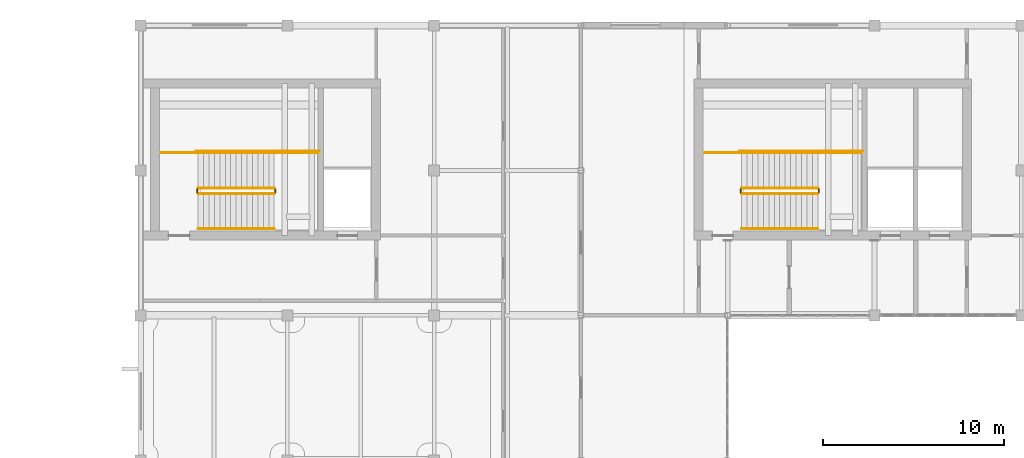
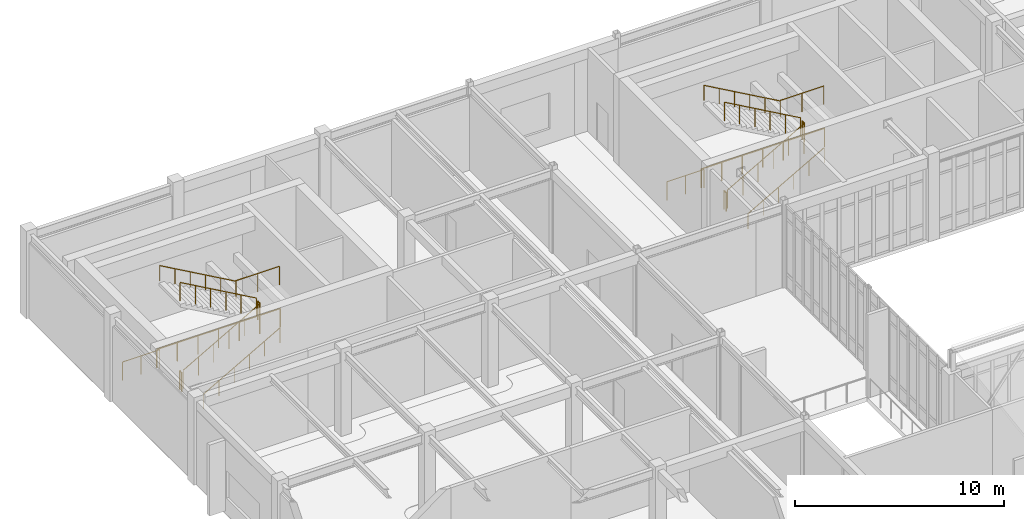
# One storey, part 106 of 107: 18 railings.
"""IFC4 building model written with IfcOpenShell, lengths in metres."""

from ifc_helpers import new_model, si_unit, direction, frame, origin, origin_2d, place, context, subcontext, project, spatial, circle, extrude, material, type_object, element, save


model = new_model("IFC4")

# Units and contexts
model_context = context("Model", 3, precision=1e-05, world=origin(), true_north=direction((0.0, 1.0)))
body_context = subcontext(model_context, "Body", "Model", "MODEL_VIEW")
ifc_project = project(units=[si_unit("LENGTHUNIT", "METRE"), si_unit("AREAUNIT", "SQUARE_METRE"), si_unit("VOLUMEUNIT", "CUBIC_METRE"), si_unit("PLANEANGLEUNIT", "RADIAN"), si_unit("MASSUNIT", "GRAM", prefix="KILO")], contexts=[model_context])

# Site, building, storey
site_placement = place(None, origin())
site = spatial("IfcSite", under=ifc_project, at=site_placement, CompositionType="ELEMENT")
building_placement = place(site_placement, origin())
building = spatial("IfcBuilding", under=site, at=building_placement, Name="Tarnveldt Square Police Headquarters", CompositionType="ELEMENT")
storey_placement = place(building_placement, frame((0.0, 0.0, 14.699951171875)))
storey = spatial("IfcBuildingStorey", under=building, at=storey_placement, Name="L03", CompositionType="ELEMENT", Elevation=14.699951171875)

# Railings
ifc_material = material(Name="Steel 350W", Category="steel")
railing_type_1 = type_object("IfcRailingType", Name="RL-GR-1100", PredefinedType="GUARDRAIL", material=ifc_material)
railing_1_placement = place(storey_placement, frame((19.3701171875, 102.719970703125, 0.170166015625)))
element("IfcRailing", 1, at=railing_1_placement, inside=storey, type_object=railing_type_1, Name="L03 ST2 stair guard 1", PredefinedType="GUARDRAIL", context=body_context, shape_type="SweptSolid", body=[
    extrude(circle(Radius=0.02392578125, at=origin_2d()), frame((0.0, 0.0, 1.076171875), z_axis=(0.870030139814, 0.0, 0.492998535308), x_axis=(0.0, 1.0, 0.0)), (0.0, 0.0, 1.0), 4.827392578125),
    extrude(circle(Radius=0.02099609375, at=origin_2d()), origin(), (0.0, 0.0, 1.0), 1.052001953125),
    extrude(circle(Radius=0.02099609375, at=origin_2d()), frame((0.840087890625, 0.0, 0.47607421875)), (0.0, 0.0, 1.0), 1.052001953125),
    extrude(circle(Radius=0.02099609375, at=origin_2d()), frame((1.679931640625, 0.0, 0.951904296875)), (0.0, 0.0, 1.0), 1.052001953125),
    extrude(circle(Radius=0.02099609375, at=origin_2d()), frame((2.52001953125, 0.0, 1.427978515625)), (0.0, 0.0, 1.0), 1.052001953125),
    extrude(circle(Radius=0.02099609375, at=origin_2d()), frame((3.35986328125, 0.0, 1.90380859375)), (0.0, 0.0, 1.0), 1.052001953125),
    extrude(circle(Radius=0.02099609375, at=origin_2d()), frame((4.199951171875, 0.0, 2.3798828125)), (0.0, 0.0, 1.0), 1.052001953125),
])
railing_2_placement = place(storey_placement, frame((23.6201171875, 102.77001953125, 2.550048828125)))
element("IfcRailing", 2, at=railing_2_placement, inside=storey, type_object=railing_type_1, Name="L03 ST2 stair guard 2", PredefinedType="GUARDRAIL", context=body_context, shape_type="SweptSolid", body=[
    extrude(circle(Radius=0.02392578125, at=origin_2d()), frame((0.0, 0.0, 1.076171875), z_axis=(0.0, 1.0, 0.0), x_axis=(-1.0, 0.0, 0.0)), (0.0, 0.0, 1.0), 0.199951171875),
    extrude(circle(Radius=0.02099609375, at=origin_2d()), origin(), (0.0, 0.0, 1.0), 1.052001953125),
    extrude(circle(Radius=0.02099609375, at=origin_2d()), frame((0.0, 0.199951171875, 0.0)), (0.0, 0.0, 1.0), 1.052001953125),
])
railing_3_placement = place(storey_placement, frame((23.570068359375, 104.969970703125, 2.550048828125)))
element("IfcRailing", 3, at=railing_3_placement, inside=storey, type_object=railing_type_1, Name="L03 ST2 stair guard 3", PredefinedType="GUARDRAIL", context=body_context, shape_type="SweptSolid", body=[
    extrude(circle(Radius=0.02392578125, at=origin_2d()), frame((0.0, 0.0, 1.076171875), z_axis=(1.0, 0.0, 0.0), x_axis=(0.0, 1.0, 0.0)), (0.0, 0.0, 1.0), 2.39990234375),
    extrude(circle(Radius=0.02099609375, at=origin_2d()), origin(), (0.0, 0.0, 1.0), 1.052001953125),
    extrude(circle(Radius=0.02099609375, at=origin_2d()), frame((1.199951171875, 0.0, 0.0)), (0.0, 0.0, 1.0), 1.052001953125),
    extrude(circle(Radius=0.02099609375, at=origin_2d()), frame((2.39990234375, 0.0, 0.0)), (0.0, 0.0, 1.0), 1.052001953125),
])
railing_4_placement = place(storey_placement, frame((23.570068359375, 103.02001953125, 2.719970703125)))
element("IfcRailing", 4, at=railing_4_placement, inside=storey, type_object=railing_type_1, Name="L03 ST2 stair guard 4", PredefinedType="GUARDRAIL", context=body_context, shape_type="SweptSolid", body=[
    extrude(circle(Radius=0.02392578125, at=origin_2d()), frame((0.0, 0.0, 1.076171875), z_axis=(-0.870008446991, 0.0, 0.493036816236), x_axis=(0.0, -1.0, 0.0)), (0.0, 0.0, 1.0), 4.827392578125),
    extrude(circle(Radius=0.02099609375, at=origin_2d()), origin(), (0.0, 0.0, 1.0), 1.052001953125),
    extrude(circle(Radius=0.02099609375, at=origin_2d()), frame((-0.840087890625, 0.0, 0.47607421875)), (0.0, 0.0, 1.0), 1.052001953125),
    extrude(circle(Radius=0.02099609375, at=origin_2d()), frame((-1.679931640625, 0.0, 0.9521484375)), (0.0, 0.0, 1.0), 1.052001953125),
    extrude(circle(Radius=0.02099609375, at=origin_2d()), frame((-2.52001953125, 0.0, 1.427978515625)), (0.0, 0.0, 1.0), 1.052001953125),
    extrude(circle(Radius=0.02099609375, at=origin_2d()), frame((-3.35986328125, 0.0, 1.904052734375)), (0.0, 0.0, 1.0), 1.052001953125),
    extrude(circle(Radius=0.02099609375, at=origin_2d()), frame((-4.199951171875, 0.0, 2.380126953125)), (0.0, 0.0, 1.0), 1.052001953125),
])
railing_5_placement = place(storey_placement, frame((19.320068359375, 102.77001953125, 0.0)))
element("IfcRailing", 5, at=railing_5_placement, inside=storey, type_object=railing_type_1, Name="L03 ST2 stair guard 5", PredefinedType="GUARDRAIL", context=body_context, shape_type="SweptSolid", body=[
    extrude(circle(Radius=0.02392578125, at=origin_2d()), frame((0.0, 0.0, 1.076171875), z_axis=(0.0, 1.0, 0.0), x_axis=(-1.0, 0.0, 0.0)), (0.0, 0.0, 1.0), 0.199951171875),
    extrude(circle(Radius=0.02099609375, at=origin_2d()), origin(), (0.0, 0.0, 1.0), 1.052001953125),
    extrude(circle(Radius=0.02099609375, at=origin_2d()), frame((0.0, 0.199951171875, 0.0)), (0.0, 0.0, 1.0), 1.052001953125),
])
railing_6_placement = place(storey_placement, frame((17.320068359375, 104.969970703125, 0.0)))
element("IfcRailing", 6, at=railing_6_placement, inside=storey, type_object=railing_type_1, Name="L03 ST2 stair guard 6", PredefinedType="GUARDRAIL", context=body_context, shape_type="SweptSolid", body=[
    extrude(circle(Radius=0.02392578125, at=origin_2d()), frame((0.0, 0.0, 1.076171875), z_axis=(1.0, 0.0, 0.0), x_axis=(0.0, 1.0, 0.0)), (0.0, 0.0, 1.0), 2.050048828125),
    extrude(circle(Radius=0.02099609375, at=origin_2d()), origin(), (0.0, 0.0, 1.0), 1.052001953125),
    extrude(circle(Radius=0.02099609375, at=origin_2d()), frame((1.02490234375, 0.0, 0.0)), (0.0, 0.0, 1.0), 1.052001953125),
    extrude(circle(Radius=0.02099609375, at=origin_2d()), frame((2.050048828125, 0.0, 0.0)), (0.0, 0.0, 1.0), 1.052001953125),
])
railing_7_placement = place(storey_placement, frame((19.27001953125, 105.070068359375, 0.0)))
element("IfcRailing", 7, at=railing_7_placement, inside=storey, type_object=railing_type_1, Name="L03 ST2 stair guard 7", PredefinedType="GUARDRAIL", context=body_context, shape_type="SweptSolid", body=[
    extrude(circle(Radius=0.02392578125, at=origin_2d()), frame((0.0, 0.0, 1.076171875), z_axis=(1.0, 0.0, 0.0), x_axis=(0.0, 1.0, 0.0)), (0.0, 0.0, 1.0), 6.800048828125),
    extrude(circle(Radius=0.02099609375, at=origin_2d()), origin(), (0.0, 0.0, 1.0), 1.052001953125),
    extrude(circle(Radius=0.02099609375, at=origin_2d()), frame((1.13330078125, 0.0, 0.0)), (0.0, 0.0, 1.0), 1.052001953125),
    extrude(circle(Radius=0.02099609375, at=origin_2d()), frame((2.2666015625, 0.0, 0.0)), (0.0, 0.0, 1.0), 1.052001953125),
    extrude(circle(Radius=0.02099609375, at=origin_2d()), frame((3.39990234375, 0.0, 0.0)), (0.0, 0.0, 1.0), 1.052001953125),
    extrude(circle(Radius=0.02099609375, at=origin_2d()), frame((4.533447265625, 0.0, 0.0)), (0.0, 0.0, 1.0), 1.052001953125),
    extrude(circle(Radius=0.02099609375, at=origin_2d()), frame((5.666748046875, 0.0, 0.0)), (0.0, 0.0, 1.0), 1.052001953125),
    extrude(circle(Radius=0.02099609375, at=origin_2d()), frame((6.800048828125, 0.0, 0.0)), (0.0, 0.0, 1.0), 1.052001953125),
])
railing_8_placement = place(storey_placement, frame((49.3701171875, 102.719970703125, 0.170166015625)))
element("IfcRailing", 8, at=railing_8_placement, inside=storey, type_object=railing_type_1, Name="L03 ST3 stair guard 1", PredefinedType="GUARDRAIL", context=body_context, shape_type="SweptSolid", body=[
    extrude(circle(Radius=0.02392578125, at=origin_2d()), frame((0.0, 0.0, 1.076171875), z_axis=(0.870030139814, 0.0, 0.492998535308), x_axis=(0.0, 1.0, 0.0)), (0.0, 0.0, 1.0), 4.827392578125),
    extrude(circle(Radius=0.02099609375, at=origin_2d()), origin(), (0.0, 0.0, 1.0), 1.052001953125),
    extrude(circle(Radius=0.02099609375, at=origin_2d()), frame((0.840087890625, 0.0, 0.47607421875)), (0.0, 0.0, 1.0), 1.052001953125),
    extrude(circle(Radius=0.02099609375, at=origin_2d()), frame((1.679931640625, 0.0, 0.951904296875)), (0.0, 0.0, 1.0), 1.052001953125),
    extrude(circle(Radius=0.02099609375, at=origin_2d()), frame((2.52001953125, 0.0, 1.427978515625)), (0.0, 0.0, 1.0), 1.052001953125),
    extrude(circle(Radius=0.02099609375, at=origin_2d()), frame((3.35986328125, 0.0, 1.90380859375)), (0.0, 0.0, 1.0), 1.052001953125),
    extrude(circle(Radius=0.02099609375, at=origin_2d()), frame((4.199951171875, 0.0, 2.3798828125)), (0.0, 0.0, 1.0), 1.052001953125),
])
railing_9_placement = place(storey_placement, frame((53.6201171875, 102.77001953125, 2.550048828125)))
element("IfcRailing", 9, at=railing_9_placement, inside=storey, type_object=railing_type_1, Name="L03 ST3 stair guard 2", PredefinedType="GUARDRAIL", context=body_context, shape_type="SweptSolid", body=[
    extrude(circle(Radius=0.02392578125, at=origin_2d()), frame((0.0, 0.0, 1.076171875), z_axis=(0.0, 1.0, 0.0), x_axis=(-1.0, 0.0, 0.0)), (0.0, 0.0, 1.0), 0.199951171875),
    extrude(circle(Radius=0.02099609375, at=origin_2d()), origin(), (0.0, 0.0, 1.0), 1.052001953125),
    extrude(circle(Radius=0.02099609375, at=origin_2d()), frame((0.0, 0.199951171875, 0.0)), (0.0, 0.0, 1.0), 1.052001953125),
])
railing_10_placement = place(storey_placement, frame((53.570068359375, 104.969970703125, 2.550048828125)))
element("IfcRailing", 10, at=railing_10_placement, inside=storey, type_object=railing_type_1, Name="L03 ST3 stair guard 3", PredefinedType="GUARDRAIL", context=body_context, shape_type="SweptSolid", body=[
    extrude(circle(Radius=0.02392578125, at=origin_2d()), frame((0.0, 0.0, 1.076171875), z_axis=(1.0, 0.0, 0.0), x_axis=(0.0, 1.0, 0.0)), (0.0, 0.0, 1.0), 2.39990234375),
    extrude(circle(Radius=0.02099609375, at=origin_2d()), origin(), (0.0, 0.0, 1.0), 1.052001953125),
    extrude(circle(Radius=0.02099609375, at=origin_2d()), frame((1.199951171875, 0.0, 0.0)), (0.0, 0.0, 1.0), 1.052001953125),
    extrude(circle(Radius=0.02099609375, at=origin_2d()), frame((2.39990234375, 0.0, 0.0)), (0.0, 0.0, 1.0), 1.052001953125),
])
railing_11_placement = place(storey_placement, frame((53.570068359375, 103.02001953125, 2.719970703125)))
element("IfcRailing", 11, at=railing_11_placement, inside=storey, type_object=railing_type_1, Name="L03 ST3 stair guard 4", PredefinedType="GUARDRAIL", context=body_context, shape_type="SweptSolid", body=[
    extrude(circle(Radius=0.02392578125, at=origin_2d()), frame((0.0, 0.0, 1.076171875), z_axis=(-0.870008446991, 0.0, 0.493036816236), x_axis=(0.0, -1.0, 0.0)), (0.0, 0.0, 1.0), 4.827392578125),
    extrude(circle(Radius=0.02099609375, at=origin_2d()), origin(), (0.0, 0.0, 1.0), 1.052001953125),
    extrude(circle(Radius=0.02099609375, at=origin_2d()), frame((-0.840087890625, 0.0, 0.47607421875)), (0.0, 0.0, 1.0), 1.052001953125),
    extrude(circle(Radius=0.02099609375, at=origin_2d()), frame((-1.679931640625, 0.0, 0.9521484375)), (0.0, 0.0, 1.0), 1.052001953125),
    extrude(circle(Radius=0.02099609375, at=origin_2d()), frame((-2.52001953125, 0.0, 1.427978515625)), (0.0, 0.0, 1.0), 1.052001953125),
    extrude(circle(Radius=0.02099609375, at=origin_2d()), frame((-3.35986328125, 0.0, 1.904052734375)), (0.0, 0.0, 1.0), 1.052001953125),
    extrude(circle(Radius=0.02099609375, at=origin_2d()), frame((-4.199951171875, 0.0, 2.380126953125)), (0.0, 0.0, 1.0), 1.052001953125),
])
railing_12_placement = place(storey_placement, frame((49.320068359375, 102.77001953125, 0.0)))
element("IfcRailing", 12, at=railing_12_placement, inside=storey, type_object=railing_type_1, Name="L03 ST3 stair guard 5", PredefinedType="GUARDRAIL", context=body_context, shape_type="SweptSolid", body=[
    extrude(circle(Radius=0.02392578125, at=origin_2d()), frame((0.0, 0.0, 1.076171875), z_axis=(0.0, 1.0, 0.0), x_axis=(-1.0, 0.0, 0.0)), (0.0, 0.0, 1.0), 0.199951171875),
    extrude(circle(Radius=0.02099609375, at=origin_2d()), origin(), (0.0, 0.0, 1.0), 1.052001953125),
    extrude(circle(Radius=0.02099609375, at=origin_2d()), frame((0.0, 0.199951171875, 0.0)), (0.0, 0.0, 1.0), 1.052001953125),
])
railing_13_placement = place(storey_placement, frame((47.320068359375, 104.969970703125, 0.0)))
element("IfcRailing", 13, at=railing_13_placement, inside=storey, type_object=railing_type_1, Name="L03 ST3 stair guard 6", PredefinedType="GUARDRAIL", context=body_context, shape_type="SweptSolid", body=[
    extrude(circle(Radius=0.02392578125, at=origin_2d()), frame((0.0, 0.0, 1.076171875), z_axis=(1.0, 0.0, 0.0), x_axis=(0.0, 1.0, 0.0)), (0.0, 0.0, 1.0), 2.050048828125),
    extrude(circle(Radius=0.02099609375, at=origin_2d()), origin(), (0.0, 0.0, 1.0), 1.052001953125),
    extrude(circle(Radius=0.02099609375, at=origin_2d()), frame((1.02490234375, 0.0, 0.0)), (0.0, 0.0, 1.0), 1.052001953125),
    extrude(circle(Radius=0.02099609375, at=origin_2d()), frame((2.050048828125, 0.0, 0.0)), (0.0, 0.0, 1.0), 1.052001953125),
])
railing_14_placement = place(storey_placement, frame((49.27001953125, 105.070068359375, 0.0)))
element("IfcRailing", 14, at=railing_14_placement, inside=storey, type_object=railing_type_1, Name="L03 ST3 stair guard 7", PredefinedType="GUARDRAIL", context=body_context, shape_type="SweptSolid", body=[
    extrude(circle(Radius=0.02392578125, at=origin_2d()), frame((0.0, 0.0, 1.076171875), z_axis=(1.0, 0.0, 0.0), x_axis=(0.0, 1.0, 0.0)), (0.0, 0.0, 1.0), 6.800048828125),
    extrude(circle(Radius=0.02099609375, at=origin_2d()), origin(), (0.0, 0.0, 1.0), 1.052001953125),
    extrude(circle(Radius=0.02099609375, at=origin_2d()), frame((1.13330078125, 0.0, 0.0)), (0.0, 0.0, 1.0), 1.052001953125),
    extrude(circle(Radius=0.02099609375, at=origin_2d()), frame((2.2666015625, 0.0, 0.0)), (0.0, 0.0, 1.0), 1.052001953125),
    extrude(circle(Radius=0.02099609375, at=origin_2d()), frame((3.39990234375, 0.0, 0.0)), (0.0, 0.0, 1.0), 1.052001953125),
    extrude(circle(Radius=0.02099609375, at=origin_2d()), frame((4.533447265625, 0.0, 0.0)), (0.0, 0.0, 1.0), 1.052001953125),
    extrude(circle(Radius=0.02099609375, at=origin_2d()), frame((5.666748046875, 0.0, 0.0)), (0.0, 0.0, 1.0), 1.052001953125),
    extrude(circle(Radius=0.02099609375, at=origin_2d()), frame((6.800048828125, 0.0, 0.0)), (0.0, 0.0, 1.0), 1.052001953125),
])
railing_type_2 = type_object("IfcRailingType", Name="RL-HR-900", PredefinedType="HANDRAIL", material=ifc_material)
railing_15_placement = place(storey_placement, frame((19.3701171875, 100.77001953125, 0.170166015625)))
element("IfcRailing", 15, at=railing_15_placement, inside=storey, type_object=railing_type_2, Name="L03 ST2 stair handrail 1", PredefinedType="HANDRAIL", context=body_context, shape_type="SweptSolid", body=[
    extrude(circle(Radius=0.02392578125, at=origin_2d()), frame((0.0, 0.0, 0.8759765625), z_axis=(0.870030139814, 0.0, 0.492998535308), x_axis=(0.0, 1.0, 0.0)), (0.0, 0.0, 1.0), 4.827392578125),
    extrude(circle(Radius=0.02099609375, at=origin_2d()), origin(), (0.0, 0.0, 1.0), 0.851806640625),
    extrude(circle(Radius=0.02099609375, at=origin_2d()), frame((0.840087890625, 0.0, 0.47607421875)), (0.0, 0.0, 1.0), 0.851806640625),
    extrude(circle(Radius=0.02099609375, at=origin_2d()), frame((1.679931640625, 0.0, 0.951904296875)), (0.0, 0.0, 1.0), 0.851806640625),
    extrude(circle(Radius=0.02099609375, at=origin_2d()), frame((2.52001953125, 0.0, 1.427978515625)), (0.0, 0.0, 1.0), 0.851806640625),
    extrude(circle(Radius=0.02099609375, at=origin_2d()), frame((3.35986328125, 0.0, 1.90380859375)), (0.0, 0.0, 1.0), 0.851806640625),
    extrude(circle(Radius=0.02099609375, at=origin_2d()), frame((4.199951171875, 0.0, 2.3798828125)), (0.0, 0.0, 1.0), 0.851806640625),
])
railing_16_placement = place(storey_placement, frame((23.570068359375, 104.969970703125, 2.719970703125)))
element("IfcRailing", 16, at=railing_16_placement, inside=storey, type_object=railing_type_2, Name="L03 ST2 stair handrail 2", PredefinedType="HANDRAIL", context=body_context, shape_type="SweptSolid", body=[
    extrude(circle(Radius=0.02392578125, at=origin_2d()), frame((0.0, 0.0, 0.8759765625), z_axis=(-0.870008446991, 0.0, 0.493036816236), x_axis=(0.0, -1.0, 0.0)), (0.0, 0.0, 1.0), 4.827392578125),
    extrude(circle(Radius=0.02099609375, at=origin_2d()), origin(), (0.0, 0.0, 1.0), 0.851806640625),
    extrude(circle(Radius=0.02099609375, at=origin_2d()), frame((-0.840087890625, 0.0, 0.47607421875)), (0.0, 0.0, 1.0), 0.851806640625),
    extrude(circle(Radius=0.02099609375, at=origin_2d()), frame((-1.679931640625, 0.0, 0.9521484375)), (0.0, 0.0, 1.0), 0.851806640625),
    extrude(circle(Radius=0.02099609375, at=origin_2d()), frame((-2.52001953125, 0.0, 1.427978515625)), (0.0, 0.0, 1.0), 0.851806640625),
    extrude(circle(Radius=0.02099609375, at=origin_2d()), frame((-3.35986328125, 0.0, 1.904052734375)), (0.0, 0.0, 1.0), 0.851806640625),
    extrude(circle(Radius=0.02099609375, at=origin_2d()), frame((-4.199951171875, 0.0, 2.380126953125)), (0.0, 0.0, 1.0), 0.851806640625),
])
railing_17_placement = place(storey_placement, frame((49.3701171875, 100.77001953125, 0.170166015625)))
element("IfcRailing", 17, at=railing_17_placement, inside=storey, type_object=railing_type_2, Name="L03 ST3 stair handrail 1", PredefinedType="HANDRAIL", context=body_context, shape_type="SweptSolid", body=[
    extrude(circle(Radius=0.02392578125, at=origin_2d()), frame((0.0, 0.0, 0.8759765625), z_axis=(0.870030139814, 0.0, 0.492998535308), x_axis=(0.0, 1.0, 0.0)), (0.0, 0.0, 1.0), 4.827392578125),
    extrude(circle(Radius=0.02099609375, at=origin_2d()), origin(), (0.0, 0.0, 1.0), 0.851806640625),
    extrude(circle(Radius=0.02099609375, at=origin_2d()), frame((0.840087890625, 0.0, 0.47607421875)), (0.0, 0.0, 1.0), 0.851806640625),
    extrude(circle(Radius=0.02099609375, at=origin_2d()), frame((1.679931640625, 0.0, 0.951904296875)), (0.0, 0.0, 1.0), 0.851806640625),
    extrude(circle(Radius=0.02099609375, at=origin_2d()), frame((2.52001953125, 0.0, 1.427978515625)), (0.0, 0.0, 1.0), 0.851806640625),
    extrude(circle(Radius=0.02099609375, at=origin_2d()), frame((3.35986328125, 0.0, 1.90380859375)), (0.0, 0.0, 1.0), 0.851806640625),
    extrude(circle(Radius=0.02099609375, at=origin_2d()), frame((4.199951171875, 0.0, 2.3798828125)), (0.0, 0.0, 1.0), 0.851806640625),
])
railing_18_placement = place(storey_placement, frame((53.570068359375, 104.969970703125, 2.719970703125)))
element("IfcRailing", 18, at=railing_18_placement, inside=storey, type_object=railing_type_2, Name="L03 ST3 stair handrail 2", PredefinedType="HANDRAIL", context=body_context, shape_type="SweptSolid", body=[
    extrude(circle(Radius=0.02392578125, at=origin_2d()), frame((0.0, 0.0, 0.8759765625), z_axis=(-0.870008446991, 0.0, 0.493036816236), x_axis=(0.0, -1.0, 0.0)), (0.0, 0.0, 1.0), 4.827392578125),
    extrude(circle(Radius=0.02099609375, at=origin_2d()), origin(), (0.0, 0.0, 1.0), 0.851806640625),
    extrude(circle(Radius=0.02099609375, at=origin_2d()), frame((-0.840087890625, 0.0, 0.47607421875)), (0.0, 0.0, 1.0), 0.851806640625),
    extrude(circle(Radius=0.02099609375, at=origin_2d()), frame((-1.679931640625, 0.0, 0.9521484375)), (0.0, 0.0, 1.0), 0.851806640625),
    extrude(circle(Radius=0.02099609375, at=origin_2d()), frame((-2.52001953125, 0.0, 1.427978515625)), (0.0, 0.0, 1.0), 0.851806640625),
    extrude(circle(Radius=0.02099609375, at=origin_2d()), frame((-3.35986328125, 0.0, 1.904052734375)), (0.0, 0.0, 1.0), 0.851806640625),
    extrude(circle(Radius=0.02099609375, at=origin_2d()), frame((-4.199951171875, 0.0, 2.380126953125)), (0.0, 0.0, 1.0), 0.851806640625),
])

save(model, "model.ifc")
